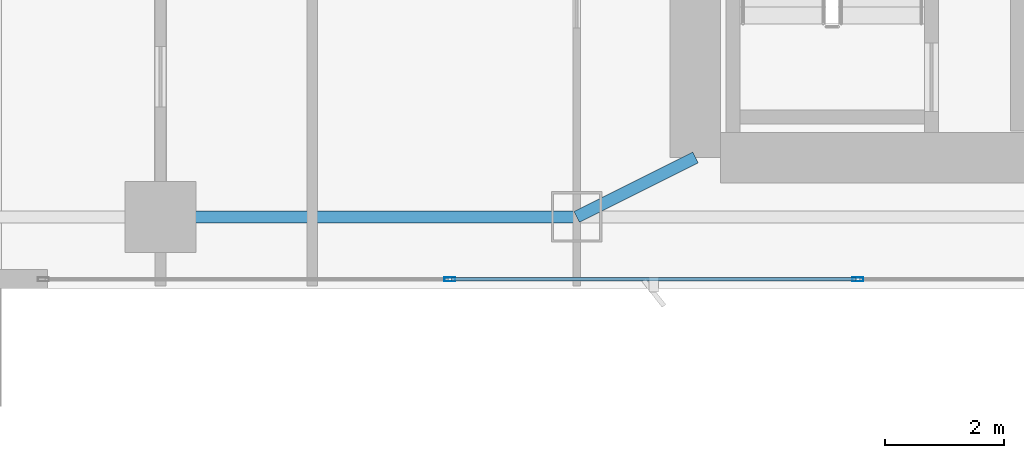
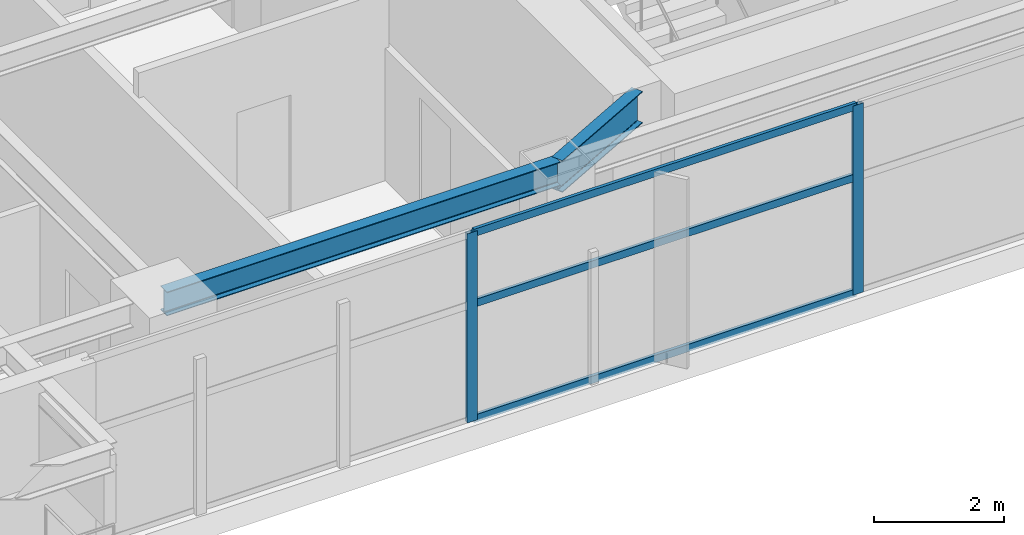
# One storey, part 6 of 30: 5 members, 2 beams, 1 element without a shape of its own.
"""IFC4 building model written with IfcOpenShell, lengths in metres."""

from ifc_helpers import new_model, si_unit, direction, frame, origin, origin_2d, place, context, subcontext, project, spatial, hollow_rectangle, i_section, extrude, material, layer, layer_set, material_profile, profile_set, type_object, element, aggregate, save


model = new_model("IFC4")

# Units and contexts
model_context = context("Model", 3, precision=1e-05, world=origin(), true_north=direction((0.0, 1.0)))
body_context = subcontext(model_context, "Body", "Model", "MODEL_VIEW")
ifc_project = project(units=[si_unit("LENGTHUNIT", "METRE"), si_unit("AREAUNIT", "SQUARE_METRE"), si_unit("VOLUMEUNIT", "CUBIC_METRE"), si_unit("PLANEANGLEUNIT", "RADIAN"), si_unit("MASSUNIT", "GRAM", prefix="KILO")], contexts=[model_context])

# Site, building, storey
site_placement = place(None, origin())
site = spatial("IfcSite", under=ifc_project, at=site_placement, CompositionType="ELEMENT")
building_placement = place(site_placement, origin())
building = spatial("IfcBuilding", under=site, at=building_placement, Name="Calvorn Quay Hotel", CompositionType="ELEMENT")
storey_placement = place(building_placement, frame((0.0, 0.0, 191.300048828125)))
storey = spatial("IfcBuildingStorey", under=building, at=storey_placement, Name="L47", CompositionType="ELEMENT", Elevation=191.300048828125)

# Beams
ifc_material_1 = material(Name="Steel Q355B", Category="steel")
ifc_material_profile_1 = material_profile(ifc_material_1, i_section(OverallWidth=0.199951171875, OverallDepth=0.60009765625, WebThickness=0.010986328125, FlangeThickness=0.01708984375, FilletRadius=0.01806640625, at=origin_2d()), Name="HN600x200x11x17")
ifc_profile_set_1 = profile_set([ifc_material_profile_1], Name="Steel Q355B")
beam_type_1 = type_object("IfcBeamType", Name="BM-GIRD-TYP", PredefinedType="BEAM", material=ifc_profile_set_1)
beam_1_placement = place(storey_placement, frame((19.60009765625, 3.60009765625, 3.239990234375), z_axis=(0.894427191, 0.4472135955, 0.0), x_axis=(-0.4472135955, 0.894427191, 0.0)))
element("IfcBeam", 1, at=beam_1_placement, inside=storey, type_object=beam_type_1, Name="Beam BG-L47-S2", PredefinedType="BEAM", context=body_context, shape_type="SweptSolid", body=[
    extrude(i_section(OverallWidth=0.199951171875, OverallDepth=0.60009765625, WebThickness=0.010986328125, FlangeThickness=0.01708984375, FilletRadius=0.01806640625, at=origin_2d()), origin(), (0.0, 0.0, 1.0), 2.236083984375),
])
ifc_material_2 = material(Name="Steel Q355B", Category="steel")
ifc_material_profile_2 = material_profile(ifc_material_2, i_section(OverallWidth=0.199951171875, OverallDepth=0.449951171875, WebThickness=0.009033203125, FlangeThickness=0.013916015625, FilletRadius=0.01611328125, at=origin_2d()), Name="HN450x200x9x14")
ifc_profile_set_2 = profile_set([ifc_material_profile_2], Name="Steel Q355B")
beam_type_2 = type_object("IfcBeamType", Name="BM-SPANDREL-Z3", PredefinedType="SPANDREL", material=ifc_profile_set_2)
beam_2_placement = place(storey_placement, frame((12.60009765625, 3.60009765625, 3.31494140625), z_axis=(1.0, 0.0, 0.0), x_axis=(0.0, 1.0, 0.0)))
element("IfcBeam", 2, at=beam_2_placement, inside=storey, type_object=beam_type_2, Name="Beam BSP-L47-S2", PredefinedType="SPANDREL", context=body_context, shape_type="SweptSolid", body=[
    extrude(i_section(OverallWidth=0.199951171875, OverallDepth=0.449951171875, WebThickness=0.009033203125, FlangeThickness=0.013916015625, FilletRadius=0.01611328125, at=origin_2d()), origin(), (0.0, 0.0, 1.0), 7.0),
])

# Curtain wall, members
ifc_material_3 = material(Name="Champagne Bronze Anodised Aluminium and Low-E Glass", Category="aluminium")
ifc_layer = layer(ifc_material_3, 0.219970703125)
ifc_layer_set = layer_set([ifc_layer], Name="CW-SYS-Z3")
curtain_wall_type = type_object("IfcCurtainWallType", Name="CW-SYS-Z3", PredefinedType="NOTDEFINED", material=ifc_layer_set)
curtain_wall_placement = place(storey_placement, origin())
curtain_wall = element("IfcCurtainWall", 3, at=curtain_wall_placement, inside=storey, type_object=curtain_wall_type, Name="Tower South Waterfront Curtain Wall (L47)", PredefinedType="NOTDEFINED")
ifc_material_4 = material(Name="Champagne Bronze Anodised Aluminium 6063-T6", Category="aluminium")
ifc_material_profile_3 = material_profile(ifc_material_4, hollow_rectangle(XDim=0.068115234375, YDim=0.18505859375, WallThickness=0.00390625, at=origin_2d()), Name="ALU-M185x68x4")
ifc_profile_set_3 = profile_set([ifc_material_profile_3], Name="Champagne Bronze Anodised Aluminium 6063-T6")
member_type_1 = type_object("IfcMemberType", Name="CW-SYS-Z3-MUL", PredefinedType="MULLION", material=ifc_profile_set_3)
member_1_placement = place(storey_placement, frame((17.466552734375, 2.550048828125, 0.0), z_axis=(0.0, 0.0, 1.0), x_axis=(0.0, 1.0, 0.0)))
member_1 = element("IfcMember", 4, at=member_1_placement, type_object=member_type_1, Name="CW-L47-S mullion 2", PredefinedType="MULLION", context=body_context, shape_type="SweptSolid", body=[
    extrude(hollow_rectangle(XDim=0.068115234375, YDim=0.18505859375, WallThickness=0.00390625, at=origin_2d()), origin(), (0.0, 0.0, 1.0), 3.56005859375),
])
member_2_placement = place(storey_placement, frame((24.333251953125, 2.550048828125, 0.0), z_axis=(0.0, 0.0, 1.0), x_axis=(0.0, 1.0, 0.0)))
member_2 = element("IfcMember", 5, at=member_2_placement, type_object=member_type_1, Name="CW-L47-S mullion 3", PredefinedType="MULLION", context=body_context, shape_type="SweptSolid", body=[
    extrude(hollow_rectangle(XDim=0.068115234375, YDim=0.18505859375, WallThickness=0.00390625, at=origin_2d()), origin(), (0.0, 0.0, 1.0), 3.56005859375),
])
ifc_material_5 = material(Name="Champagne Bronze Anodised Aluminium 6063-T6", Category="aluminium")
ifc_material_profile_4 = material_profile(ifc_material_5, hollow_rectangle(XDim=0.05810546875, YDim=0.139892578125, WallThickness=0.003173828125, at=origin_2d()), Name="ALU-T140x58x3.2")
ifc_profile_set_4 = profile_set([ifc_material_profile_4], Name="Champagne Bronze Anodised Aluminium 6063-T6")
member_type_2 = type_object("IfcMemberType", Name="CW-SYS-Z3-TRN", PredefinedType="USERDEFINED", material=ifc_profile_set_4)
member_3_placement = place(storey_placement, frame((17.49658203125, 2.550048828125, 0.030029296875), z_axis=(1.0, 0.0, 0.0), x_axis=(0.0, 1.0, 0.0)))
member_3 = element("IfcMember", 6, at=member_3_placement, type_object=member_type_2, Name="CW-L47-S transom 2.1", ObjectType="TRANSOM", PredefinedType="USERDEFINED", context=body_context, shape_type="SweptSolid", body=[
    extrude(hollow_rectangle(XDim=0.05810546875, YDim=0.139892578125, WallThickness=0.003173828125, at=origin_2d()), origin(), (0.0, 0.0, 1.0), 6.806640625),
])
member_4_placement = place(storey_placement, frame((17.49658203125, 2.550048828125, 2.199951171875), z_axis=(1.0, 0.0, 0.0), x_axis=(0.0, 1.0, 0.0)))
member_4 = element("IfcMember", 7, at=member_4_placement, type_object=member_type_2, Name="CW-L47-S transom 2.2", ObjectType="TRANSOM", PredefinedType="USERDEFINED", context=body_context, shape_type="SweptSolid", body=[
    extrude(hollow_rectangle(XDim=0.05810546875, YDim=0.139892578125, WallThickness=0.003173828125, at=origin_2d()), origin(), (0.0, 0.0, 1.0), 6.806640625),
])
member_5_placement = place(storey_placement, frame((17.49658203125, 2.550048828125, 3.530029296875), z_axis=(1.0, 0.0, 0.0), x_axis=(0.0, 1.0, 0.0)))
member_5 = element("IfcMember", 8, at=member_5_placement, type_object=member_type_2, Name="CW-L47-S transom 2.3", ObjectType="TRANSOM", PredefinedType="USERDEFINED", context=body_context, shape_type="SweptSolid", body=[
    extrude(hollow_rectangle(XDim=0.05810546875, YDim=0.139892578125, WallThickness=0.003173828125, at=origin_2d()), origin(), (0.0, 0.0, 1.0), 6.806640625),
])
aggregate(curtain_wall, [member_1, member_2, member_3, member_4, member_5])

save(model, "model.ifc")
